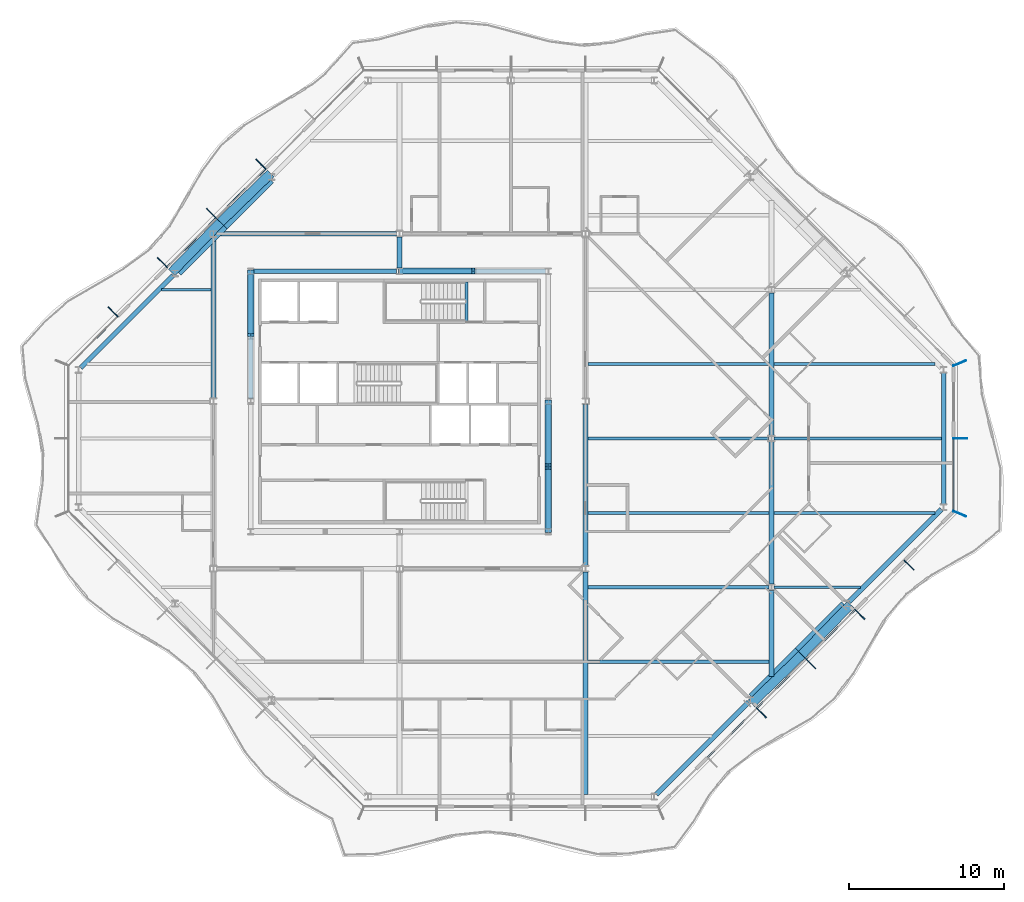
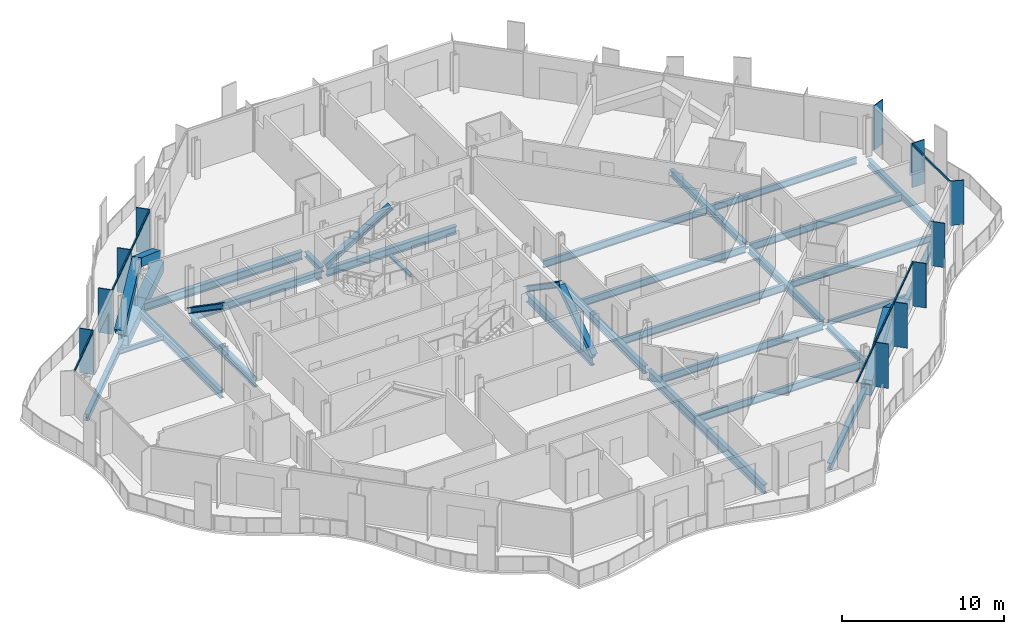
# One storey, part 4 of 17: 31 beams, 26 members, 4 elements without a shape of their own.
"""IFC4 building model written with IfcOpenShell, lengths in metres."""

from ifc_helpers import new_model, si_unit, direction, frame, origin, origin_2d, place, context, subcontext, project, spatial, rectangle, hollow_rectangle, i_section, extrude, material, material_profile, profile_set, type_object, element, aggregate, save


model = new_model("IFC4")

# Units and contexts
model_context = context("Model", 3, precision=1e-05, world=origin(), true_north=direction((0.0, 1.0)))
body_context = subcontext(model_context, "Body", "Model", "MODEL_VIEW")
ifc_project = project(units=[si_unit("LENGTHUNIT", "METRE"), si_unit("AREAUNIT", "SQUARE_METRE"), si_unit("VOLUMEUNIT", "CUBIC_METRE"), si_unit("PLANEANGLEUNIT", "RADIAN"), si_unit("MASSUNIT", "GRAM", prefix="KILO")], contexts=[model_context])

# Site, building, storey
site_placement = place(None, origin())
site = spatial("IfcSite", under=ifc_project, at=site_placement, CompositionType="ELEMENT")
building_placement = place(site_placement, origin())
building = spatial("IfcBuilding", under=site, at=building_placement, Name="Cairn Pilgrim Tower", CompositionType="ELEMENT")
storey_placement = place(building_placement, frame((0.0, 0.0, 257.39990234375)))
storey = spatial("IfcBuildingStorey", under=building, at=storey_placement, Name="L66", CompositionType="ELEMENT", Elevation=257.39990234375)

# Members
ifc_material_1 = material(Name="Structural steel S460M", Category="steel")
ifc_material_profile_1 = material_profile(ifc_material_1, hollow_rectangle(XDim=0.60009765625, YDim=0.60009765625, WallThickness=0.034912109375, at=origin_2d()), Name="BOX 600x600x35")
ifc_profile_set_1 = profile_set([ifc_material_profile_1], Name="Structural steel S460M")
member_type_1 = type_object("IfcMemberType", Name="BOX 600x600x35 BRACE", PredefinedType="BRACE", material=ifc_profile_set_1)
for number, where, z_axis, x_axis, name in (
    (1, (30.01318359375, -16.99462890625, 0.150146484375), (0.6311958305, 0.612796677006, 0.475470352608), (-0.696572199695, 0.717486704136, 0.0), "XB-SE2-SE3-1"),
    (2, (36.194580078125, -10.813232421875, 0.150146484375), (-0.612796677006, -0.6311958305, 0.475470352608), (0.717486704136, -0.696572199695, 0.0), "XB-SE2-SE3-2"),
    (3, (-1.213134765625, 16.99462890625, 0.150146484375), (-0.6311958305, -0.612796677006, 0.475470352608), (0.696572199695, -0.717486704136, 0.0), "XB-NW2-NW3-1"),
):
    element("IfcMember", number, at=place(storey_placement, frame(where, z_axis=z_axis, x_axis=x_axis)), inside=storey, type_object=member_type_1, Name=name, PredefinedType="BRACE", context=body_context, shape_type="SweptSolid", body=[
        extrude(hollow_rectangle(XDim=0.60009765625, YDim=0.60009765625, WallThickness=0.034912109375, at=origin_2d()), origin(), (0.0, 0.0, 1.0), 5.121826171875),
    ])
member_1_placement = place(storey_placement, frame((-7.394775390625, 10.813232421875, 0.150146484375), z_axis=(0.612826442302, 0.631177393557, 0.475456464335), x_axis=(-0.717459625139, 0.696600090652, 0.0)))
element("IfcMember", 4, at=member_1_placement, inside=storey, type_object=member_type_1, Name="XB-NW2-NW3-2", PredefinedType="BRACE", context=body_context, shape_type="SweptSolid", body=[
    extrude(hollow_rectangle(XDim=0.60009765625, YDim=0.60009765625, WallThickness=0.034912109375, at=origin_2d()), origin(), (0.0, 0.0, 1.0), 5.1220703125),
])

# Beams
ifc_material_2 = material(Name="Structural steel S355J2", Category="steel")
ifc_material_profile_2 = material_profile(ifc_material_2, hollow_rectangle(XDim=0.699951171875, YDim=0.800048828125, WallThickness=0.0400390625, at=origin_2d()), Name="BOX 700x800x40")
ifc_profile_set_2 = profile_set([ifc_material_profile_2], Name="Structural steel S355J2")
beam_type_1 = type_object("IfcBeamType", Name="BOX 700x800x40 RING GIRDER", PredefinedType="SPANDREL", material=ifc_profile_set_2)
for number, where, z_axis, x_axis, name in (
    (5, (29.97998046875, -16.747314453125, -0.5498046875), (0.707106781187, 0.707106781187, 0.0), (-0.707106781187, 0.707106781187, 0.0), "RG3-SE2-SE3-1"),
    (6, (32.963623046875, -13.763671875, -0.5498046875), (0.707106781187, 0.707106781187, 0.0), (-0.707106781187, 0.707106781187, 0.0), "RG3-SE2-SE3-2"),
    (7, (-1.179931640625, 16.747314453125, -0.5498046875), (-0.707106781187, -0.707106781187, 0.0), (0.707106781187, -0.707106781187, 0.0), "RG3-NW2-NW3-1"),
    (8, (-4.16357421875, 13.763671875, -0.5498046875), (-0.707106781187, -0.707106781187, 0.0), (0.707106781187, -0.707106781187, 0.0), "RG3-NW2-NW3-2"),
):
    element("IfcBeam", number, at=place(storey_placement, frame(where, z_axis=z_axis, x_axis=x_axis)), inside=storey, type_object=beam_type_1, Name=name, PredefinedType="SPANDREL", context=body_context, shape_type="SweptSolid", body=[
        extrude(hollow_rectangle(XDim=0.699951171875, YDim=0.800048828125, WallThickness=0.0400390625, at=origin_2d()), origin(), (0.0, 0.0, 1.0), 4.219482421875),
    ])

# Curtain wall, members
ifc_material_3 = material(Name="Aluminium alloy 6063-T6 bronze anodised with Bronze tinted laminated low-E glass 8+16+8.8", Category="aluminium")
curtain_wall_type_1 = type_object("IfcCurtainWallType", Name="CHAMFER CORNER CURTAIN WALL", PredefinedType="NOTDEFINED", material=ifc_material_3)
curtain_wall_1_placement = place(storey_placement, origin())
curtain_wall_1 = element("IfcCurtainWall", 9, at=curtain_wall_1_placement, inside=storey, type_object=curtain_wall_type_1, Name="Chamfer Corner Curtain Wall SE", PredefinedType="NOTDEFINED")
ifc_material_4 = material(Name="Aluminium alloy 6063-T6 bronze anodised", Category="aluminium")
ifc_material_profile_3 = material_profile(ifc_material_4, rectangle(XDim=0.89990234375, YDim=0.06005859375, at=origin_2d()), Name="FIN MULLION 60x900 BRONZE")
ifc_profile_set_3 = profile_set([ifc_material_profile_3], Name="Aluminium alloy 6063-T6 bronze anodised")
member_type_2 = type_object("IfcMemberType", Name="FIN MULLION 60x900 BRONZE", PredefinedType="MULLION", material=ifc_profile_set_3)
member_2_placement = place(storey_placement, frame((30.544677734375, -17.69580078125, 0.0), z_axis=(0.0, 0.0, 1.0), x_axis=(0.707106781187, -0.707106781187, 0.0)))
member_2 = element("IfcMember", 10, at=member_2_placement, type_object=member_type_2, Name="Fin mullion SE3", PredefinedType="MULLION", context=body_context, shape_type="SweptSolid", body=[
    extrude(rectangle(XDim=0.89990234375, YDim=0.06005859375, at=origin_2d()), origin(), (0.0, 0.0, 1.0), 3.35009765625),
])
member_3_placement = place(storey_placement, frame((33.72021484375, -14.520263671875, 0.0), z_axis=(0.0, 0.0, 1.0), x_axis=(0.707106781187, -0.707106781187, 0.0)))
member_3 = element("IfcMember", 11, at=member_3_placement, type_object=member_type_2, Name="Fin mullion SE4", PredefinedType="MULLION", context=body_context, shape_type="SweptSolid", body=[
    extrude(rectangle(XDim=0.89990234375, YDim=0.06005859375, at=origin_2d()), origin(), (0.0, 0.0, 1.0), 3.35009765625),
])
member_4_placement = place(storey_placement, frame((36.895751953125, -11.3447265625, 0.0), z_axis=(0.0, 0.0, 1.0), x_axis=(0.707106781187, -0.707106781187, 0.0)))
member_4 = element("IfcMember", 12, at=member_4_placement, type_object=member_type_2, Name="Fin mullion SE5", PredefinedType="MULLION", context=body_context, shape_type="SweptSolid", body=[
    extrude(rectangle(XDim=0.89990234375, YDim=0.06005859375, at=origin_2d()), origin(), (0.0, 0.0, 1.0), 3.35009765625),
])
member_5_placement = place(storey_placement, frame((40.0712890625, -8.1689453125, 0.0), z_axis=(0.0, 0.0, 1.0), x_axis=(0.707106781187, -0.707106781187, 0.0)))
member_5 = element("IfcMember", 13, at=member_5_placement, type_object=member_type_2, Name="Fin mullion SE6", PredefinedType="MULLION", context=body_context, shape_type="SweptSolid", body=[
    extrude(rectangle(XDim=0.89990234375, YDim=0.06005859375, at=origin_2d()), origin(), (0.0, 0.0, 1.0), 3.35009765625),
])

curtain_wall_type_2 = type_object("IfcCurtainWallType", Name="TOWER STICK CURTAIN WALL EW", PredefinedType="NOTDEFINED", material=ifc_material_3)
curtain_wall_2_placement = place(storey_placement, origin())
curtain_wall_2 = element("IfcCurtainWall", 14, at=curtain_wall_2_placement, inside=storey, type_object=curtain_wall_type_2, Name="Tower Stick Curtain Wall Ew E", PredefinedType="NOTDEFINED")
member_6_placement = place(storey_placement, frame((43.338134765625, -4.857177734375, 0.0), z_axis=(0.0, 0.0, 1.0), x_axis=(0.923879532511, -0.382683432365, 0.0)))
member_6 = element("IfcMember", 15, at=member_6_placement, type_object=member_type_2, Name="Fin mullion E1", PredefinedType="MULLION", context=body_context, shape_type="SweptSolid", body=[
    extrude(rectangle(XDim=0.89990234375, YDim=0.06005859375, at=origin_2d()), origin(), (0.0, 0.0, 1.0), 3.35009765625),
])
member_7_placement = place(storey_placement, frame((43.3701171875, 0.0, 0.0), z_axis=(0.0, 0.0, 1.0), x_axis=(1.0, 0.0, 0.0)))
member_7 = element("IfcMember", 16, at=member_7_placement, type_object=member_type_2, Name="Fin mullion E2", PredefinedType="MULLION", context=body_context, shape_type="SweptSolid", body=[
    extrude(rectangle(XDim=0.89990234375, YDim=0.06005859375, at=origin_2d()), origin(), (0.0, 0.0, 1.0), 3.35009765625),
])

# Curtain wall, member
curtain_wall_3_placement = place(storey_placement, origin())
curtain_wall_3 = element("IfcCurtainWall", 17, at=curtain_wall_3_placement, inside=storey, type_object=curtain_wall_type_1, Name="Chamfer Corner Curtain Wall NE", PredefinedType="NOTDEFINED")
member_8_placement = place(storey_placement, frame((43.338134765625, 4.857177734375, 0.0), z_axis=(0.0, 0.0, 1.0), x_axis=(0.923879532511, 0.382683432365, 0.0)))
member_8 = element("IfcMember", 18, at=member_8_placement, type_object=member_type_2, Name="Fin mullion NE1", PredefinedType="MULLION", context=body_context, shape_type="SweptSolid", body=[
    extrude(rectangle(XDim=0.89990234375, YDim=0.06005859375, at=origin_2d()), origin(), (0.0, 0.0, 1.0), 3.35009765625),
])
aggregate(curtain_wall_3, [member_8])

# Curtain wall, members
curtain_wall_4_placement = place(storey_placement, origin())
curtain_wall_4 = element("IfcCurtainWall", 19, at=curtain_wall_4_placement, inside=storey, type_object=curtain_wall_type_1, Name="Chamfer Corner Curtain Wall NW", PredefinedType="NOTDEFINED")
member_9_placement = place(storey_placement, frame((-1.74462890625, 17.69580078125, 0.0), z_axis=(0.0, 0.0, 1.0), x_axis=(-0.707106781187, 0.707106781187, 0.0)))
member_9 = element("IfcMember", 20, at=member_9_placement, type_object=member_type_2, Name="Fin mullion NW3", PredefinedType="MULLION", context=body_context, shape_type="SweptSolid", body=[
    extrude(rectangle(XDim=0.89990234375, YDim=0.06005859375, at=origin_2d()), origin(), (0.0, 0.0, 1.0), 3.35009765625),
])
member_10_placement = place(storey_placement, frame((-4.920166015625, 14.520263671875, 0.0), z_axis=(0.0, 0.0, 1.0), x_axis=(-0.707106781187, 0.707106781187, 0.0)))
member_10 = element("IfcMember", 21, at=member_10_placement, type_object=member_type_2, Name="Fin mullion NW4", PredefinedType="MULLION", context=body_context, shape_type="SweptSolid", body=[
    extrude(rectangle(XDim=0.89990234375, YDim=0.06005859375, at=origin_2d()), origin(), (0.0, 0.0, 1.0), 3.35009765625),
])
member_11_placement = place(storey_placement, frame((-8.095703125, 11.3447265625, 0.0), z_axis=(0.0, 0.0, 1.0), x_axis=(-0.707106781187, 0.707106781187, 0.0)))
member_11 = element("IfcMember", 22, at=member_11_placement, type_object=member_type_2, Name="Fin mullion NW5", PredefinedType="MULLION", context=body_context, shape_type="SweptSolid", body=[
    extrude(rectangle(XDim=0.89990234375, YDim=0.06005859375, at=origin_2d()), origin(), (0.0, 0.0, 1.0), 3.35009765625),
])
member_12_placement = place(storey_placement, frame((-11.271484375, 8.1689453125, 0.0), z_axis=(0.0, 0.0, 1.0), x_axis=(-0.707106781187, 0.707106781187, 0.0)))
member_12 = element("IfcMember", 23, at=member_12_placement, type_object=member_type_2, Name="Fin mullion NW6", PredefinedType="MULLION", context=body_context, shape_type="SweptSolid", body=[
    extrude(rectangle(XDim=0.89990234375, YDim=0.06005859375, at=origin_2d()), origin(), (0.0, 0.0, 1.0), 3.35009765625),
])

# Members
ifc_material_profile_4 = material_profile(ifc_material_2, i_section(OverallWidth=0.39794921875, OverallDepth=0.386962890625, WebThickness=0.02099609375, FlangeThickness=0.033203125, FilletRadius=0.014892578125, at=origin_2d()), Name="HD 400x262")
ifc_profile_set_4 = profile_set([ifc_material_profile_4], Name="Structural steel S355J2")
member_type_3 = type_object("IfcMemberType", Name="HD 400x262 BRACE", PredefinedType="BRACE", material=ifc_profile_set_4)
for number, where, z_axis, x_axis, name in (
    (24, (16.800048828125, -5.960205078125, 0.10009765625), (0.0, 0.82443442172, 0.565957493353), (-1.0, 0.0, 0.0), "KB-2A"),
    (25, (16.800048828125, 2.360107421875, 0.10009765625), (0.0, -0.82443442172, 0.565957493353), (1.0, 0.0, 0.0), "KB-2B"),
):
    element("IfcMember", number, at=place(storey_placement, frame(where, z_axis=z_axis, x_axis=x_axis)), inside=storey, type_object=member_type_3, Name=name, PredefinedType="BRACE", context=body_context, shape_type="SweptSolid", body=[
        extrude(i_section(OverallWidth=0.39794921875, OverallDepth=0.386962890625, WebThickness=0.02099609375, FlangeThickness=0.033203125, FilletRadius=0.014892578125, at=origin_2d()), origin(), (0.0, 0.0, 1.0), 4.9521484375),
    ])
member_13_placement = place(storey_placement, frame((7.23974609375, 10.800048828125, 0.10009765625), z_axis=(0.859714351182, 0.0, 0.510775130926), x_axis=(0.0, 1.0, 0.0)))
element("IfcMember", 26, at=member_13_placement, inside=storey, type_object=member_type_3, Name="KB-3B", PredefinedType="BRACE", context=body_context, shape_type="SweptSolid", body=[
    extrude(i_section(OverallWidth=0.39794921875, OverallDepth=0.386962890625, WebThickness=0.02099609375, FlangeThickness=0.033203125, FilletRadius=0.014892578125, at=origin_2d()), origin(), (0.0, 0.0, 1.0), 5.48828125),
])
member_14_placement = place(storey_placement, frame((-2.39990234375, 10.76025390625, 0.10009765625), z_axis=(0.0, -0.82443442172, 0.565957493353), x_axis=(1.0, 0.0, 0.0)))
element("IfcMember", 27, at=member_14_placement, inside=storey, type_object=member_type_3, Name="KB-4A", PredefinedType="BRACE", context=body_context, shape_type="SweptSolid", body=[
    extrude(i_section(OverallWidth=0.39794921875, OverallDepth=0.386962890625, WebThickness=0.02099609375, FlangeThickness=0.033203125, FilletRadius=0.014892578125, at=origin_2d()), origin(), (0.0, 0.0, 1.0), 4.9521484375),
])

# Beams
ifc_material_profile_5 = material_profile(ifc_material_2, i_section(OverallWidth=0.300048828125, OverallDepth=0.39990234375, WebThickness=0.013427734375, FlangeThickness=0.02392578125, FilletRadius=0.027099609375, at=origin_2d()), Name="HEB 400")
ifc_profile_set_5 = profile_set([ifc_material_profile_5], Name="Structural steel S355J2")
beam_type_2 = type_object("IfcBeamType", Name="HEB 400 GIRDER", PredefinedType="BEAM", material=ifc_profile_set_5)
beam_1_placement = place(storey_placement, frame((7.199951171875, 10.9990234375, -0.349853515625), z_axis=(0.0, 1.0, 0.0), x_axis=(-1.0, 0.0, 0.0)))
element("IfcBeam", 28, at=beam_1_placement, inside=storey, type_object=beam_type_2, Name="PG3-E2", PredefinedType="BEAM", context=body_context, shape_type="SweptSolid", body=[
    extrude(i_section(OverallWidth=0.300048828125, OverallDepth=0.39990234375, WebThickness=0.013427734375, FlangeThickness=0.02392578125, FilletRadius=0.027099609375, at=origin_2d()), origin(), (0.0, 0.0, 1.0), 2.00390625),
])
beam_2_placement = place(storey_placement, frame((31.199951171875, -15.34521484375, -0.349853515625), z_axis=(0.0, 1.0, 0.0), x_axis=(-1.0, 0.0, 0.0)))
element("IfcBeam", 29, at=beam_2_placement, inside=storey, type_object=beam_type_2, Name="PG5-1", PredefinedType="BEAM", context=body_context, shape_type="SweptSolid", body=[
    extrude(i_section(OverallWidth=0.300048828125, OverallDepth=0.39990234375, WebThickness=0.013427734375, FlangeThickness=0.02392578125, FilletRadius=0.027099609375, at=origin_2d()), origin(), (0.0, 0.0, 1.0), 5.545654296875),
])
ifc_material_profile_6 = material_profile(ifc_material_2, i_section(OverallWidth=0.300048828125, OverallDepth=0.5, WebThickness=0.014404296875, FlangeThickness=0.028076171875, FilletRadius=0.027099609375, at=origin_2d()), Name="HEB 500")
ifc_profile_set_6 = profile_set([ifc_material_profile_6], Name="Structural steel S355J2")
beam_type_3 = type_object("IfcBeamType", Name="HEB 500 GIRDER", PredefinedType="BEAM", material=ifc_profile_set_6)
for number, where, z_axis, x_axis, name in (
    (30, (31.199951171875, -9.400390625, -0.39990234375), (0.0, 1.0, 0.0), (-1.0, 0.0, 0.0), "PG5-2"),
    (31, (31.199951171875, 0.199462890625, -0.39990234375), (0.0, 1.0, 0.0), (-1.0, 0.0, 0.0), "PG5-3"),
):
    element("IfcBeam", number, at=place(storey_placement, frame(where, z_axis=z_axis, x_axis=x_axis)), inside=storey, type_object=beam_type_3, Name=name, PredefinedType="BEAM", context=body_context, shape_type="SweptSolid", body=[
        extrude(i_section(OverallWidth=0.300048828125, OverallDepth=0.5, WebThickness=0.014404296875, FlangeThickness=0.028076171875, FilletRadius=0.027099609375, at=origin_2d()), origin(), (0.0, 0.0, 1.0), 9.200927734375),
    ])
ifc_material_profile_7 = material_profile(ifc_material_2, i_section(OverallWidth=0.300048828125, OverallDepth=0.5, WebThickness=0.014404296875, FlangeThickness=0.028076171875, FilletRadius=0.027099609375, at=origin_2d()), Name="HEB 500")
ifc_profile_set_7 = profile_set([ifc_material_profile_7], Name="Structural steel S355J2")
beam_type_4 = type_object("IfcBeamType", Name="HEB 500 RING GIRDER", PredefinedType="SPANDREL", material=ifc_profile_set_7)
for number, where, z_axis, x_axis, name in (
    (32, (23.755859375, -22.971435546875, -0.39990234375), (0.707106781187, 0.707106781187, 0.0), (-0.707106781187, 0.707106781187, 0.0), "RG3-SE1-SE2"),
    (33, (36.204345703125, -10.52294921875, -0.39990234375), (0.707106781187, 0.707106781187, 0.0), (-0.707106781187, 0.707106781187, 0.0), "RG3-SE3-E1"),
):
    element("IfcBeam", number, at=place(storey_placement, frame(where, z_axis=z_axis, x_axis=x_axis)), inside=storey, type_object=beam_type_4, Name=name, PredefinedType="SPANDREL", context=body_context, shape_type="SweptSolid", body=[
        extrude(i_section(OverallWidth=0.300048828125, OverallDepth=0.5, WebThickness=0.014404296875, FlangeThickness=0.028076171875, FilletRadius=0.027099609375, at=origin_2d()), origin(), (0.0, 0.0, 1.0), 8.438720703125),
    ])
beam_3_placement = place(storey_placement, frame((42.300048828125, -4.245361328125, -0.39990234375), z_axis=(0.0, 1.0, 0.0), x_axis=(-1.0, 0.0, 0.0)))
element("IfcBeam", 34, at=beam_3_placement, inside=storey, type_object=beam_type_4, Name="RG3-E1-NE1", PredefinedType="SPANDREL", context=body_context, shape_type="SweptSolid", body=[
    extrude(i_section(OverallWidth=0.300048828125, OverallDepth=0.5, WebThickness=0.014404296875, FlangeThickness=0.028076171875, FilletRadius=0.027099609375, at=origin_2d()), origin(), (0.0, 0.0, 1.0), 8.49072265625),
])
beam_4_placement = place(storey_placement, frame((-7.404296875, 10.52294921875, -0.39990234375), z_axis=(-0.707106781187, -0.707106781187, 0.0), x_axis=(0.707106781187, -0.707106781187, 0.0)))
element("IfcBeam", 35, at=beam_4_placement, inside=storey, type_object=beam_type_4, Name="RG3-NW3-W1", PredefinedType="SPANDREL", context=body_context, shape_type="SweptSolid", body=[
    extrude(i_section(OverallWidth=0.300048828125, OverallDepth=0.5, WebThickness=0.014404296875, FlangeThickness=0.028076171875, FilletRadius=0.027099609375, at=origin_2d()), origin(), (0.0, 0.0, 1.0), 8.438720703125),
])
ifc_material_profile_8 = material_profile(ifc_material_2, i_section(OverallWidth=0.300048828125, OverallDepth=0.60009765625, WebThickness=0.015380859375, FlangeThickness=0.030029296875, FilletRadius=0.027099609375, at=origin_2d()), Name="HEB 600")
ifc_profile_set_8 = profile_set([ifc_material_profile_8], Name="Structural steel S355J2")
beam_type_5 = type_object("IfcBeamType", Name="HEB 600 CORE BEAM", PredefinedType="BEAM", material=ifc_profile_set_8)
beam_5_placement = place(storey_placement, frame((16.800048828125, -5.82080078125, -0.449951171875), z_axis=(0.0, 1.0, 0.0), x_axis=(-1.0, 0.0, 0.0)))
element("IfcBeam", 36, at=beam_5_placement, inside=storey, type_object=beam_type_5, Name="CB-3", PredefinedType="BEAM", context=body_context, shape_type="SweptSolid", body=[
    extrude(i_section(OverallWidth=0.300048828125, OverallDepth=0.60009765625, WebThickness=0.015380859375, FlangeThickness=0.030029296875, FilletRadius=0.027099609375, at=origin_2d()), origin(), (0.0, 0.0, 1.0), 8.041748046875),
])
beam_6_placement = place(storey_placement, frame((16.620849609375, 10.800048828125, -0.449951171875), z_axis=(-1.0, 0.0, 0.0), x_axis=(0.0, -1.0, 0.0)))
element("IfcBeam", 37, at=beam_6_placement, inside=storey, type_object=beam_type_5, Name="CB-5", PredefinedType="BEAM", context=body_context, shape_type="SweptSolid", body=[
    extrude(i_section(OverallWidth=0.300048828125, OverallDepth=0.60009765625, WebThickness=0.015380859375, FlangeThickness=0.030029296875, FilletRadius=0.027099609375, at=origin_2d()), origin(), (0.0, 0.0, 1.0), 9.24169921875),
])
beam_7_placement = place(storey_placement, frame((7.02099609375, 10.800048828125, -0.449951171875), z_axis=(-1.0, 0.0, 0.0), x_axis=(0.0, -1.0, 0.0)))
element("IfcBeam", 38, at=beam_7_placement, inside=storey, type_object=beam_type_5, Name="CB-6", PredefinedType="BEAM", context=body_context, shape_type="SweptSolid", body=[
    extrude(i_section(OverallWidth=0.300048828125, OverallDepth=0.60009765625, WebThickness=0.015380859375, FlangeThickness=0.030029296875, FilletRadius=0.027099609375, at=origin_2d()), origin(), (0.0, 0.0, 1.0), 9.241943359375),
])
beam_8_placement = place(storey_placement, frame((-2.39990234375, 10.620849609375, -0.449951171875), z_axis=(0.0, -1.0, 0.0), x_axis=(1.0, 0.0, 0.0)))
element("IfcBeam", 39, at=beam_8_placement, inside=storey, type_object=beam_type_5, Name="CB-7", PredefinedType="BEAM", context=body_context, shape_type="SweptSolid", body=[
    extrude(i_section(OverallWidth=0.300048828125, OverallDepth=0.60009765625, WebThickness=0.015380859375, FlangeThickness=0.030029296875, FilletRadius=0.027099609375, at=origin_2d()), origin(), (0.0, 0.0, 1.0), 8.041748046875),
])
ifc_material_profile_9 = material_profile(ifc_material_2, i_section(OverallWidth=0.300048828125, OverallDepth=0.60009765625, WebThickness=0.015380859375, FlangeThickness=0.030029296875, FilletRadius=0.027099609375, at=origin_2d()), Name="HEB 600")
ifc_profile_set_9 = profile_set([ifc_material_profile_9], Name="Structural steel S355J2")
beam_type_6 = type_object("IfcBeamType", Name="HEB 600 GIRDER", PredefinedType="BEAM", material=ifc_profile_set_9)
beam_9_placement = place(storey_placement, frame((-4.800048828125, 2.596923828125, -0.449951171875), z_axis=(0.0, 1.0, 0.0), x_axis=(-1.0, 0.0, 0.0)))
element("IfcBeam", 40, at=beam_9_placement, inside=storey, type_object=beam_type_6, Name="PG2-3", PredefinedType="BEAM", context=body_context, shape_type="SweptSolid", body=[
    extrude(i_section(OverallWidth=0.300048828125, OverallDepth=0.60009765625, WebThickness=0.015380859375, FlangeThickness=0.030029296875, FilletRadius=0.027099609375, at=origin_2d()), origin(), (0.0, 0.0, 1.0), 10.34814453125),
])
beam_10_placement = place(storey_placement, frame((19.199951171875, -8.202880859375, -0.449951171875), z_axis=(0.0, 1.0, 0.0), x_axis=(-1.0, 0.0, 0.0)))
element("IfcBeam", 41, at=beam_10_placement, inside=storey, type_object=beam_type_6, Name="PG4-2", PredefinedType="BEAM", context=body_context, shape_type="SweptSolid", body=[
    extrude(i_section(OverallWidth=0.300048828125, OverallDepth=0.60009765625, WebThickness=0.015380859375, FlangeThickness=0.030029296875, FilletRadius=0.027099609375, at=origin_2d()), origin(), (0.0, 0.0, 1.0), 10.40576171875),
])
ifc_material_profile_10 = material_profile(ifc_material_2, i_section(OverallWidth=0.300048828125, OverallDepth=0.60009765625, WebThickness=0.015380859375, FlangeThickness=0.030029296875, FilletRadius=0.027099609375, at=origin_2d()), Name="HEB 600")
ifc_profile_set_10 = profile_set([ifc_material_profile_10], Name="Structural steel S355J2")
beam_type_7 = type_object("IfcBeamType", Name="HEB 600 INNER GIRDER", PredefinedType="BEAM", material=ifc_profile_set_10)
beam_11_placement = place(storey_placement, frame((-4.60302734375, 13.199951171875, -0.449951171875), z_axis=(1.0, 0.0, 0.0), x_axis=(0.0, 1.0, 0.0)))
element("IfcBeam", 42, at=beam_11_placement, inside=storey, type_object=beam_type_7, Name="IG2-1", PredefinedType="BEAM", context=body_context, shape_type="SweptSolid", body=[
    extrude(i_section(OverallWidth=0.300048828125, OverallDepth=0.60009765625, WebThickness=0.015380859375, FlangeThickness=0.030029296875, FilletRadius=0.027099609375, at=origin_2d()), origin(), (0.0, 0.0, 1.0), 11.60595703125),
])
ifc_material_profile_11 = material_profile(ifc_material_2, i_section(OverallWidth=0.300048828125, OverallDepth=0.699951171875, WebThickness=0.01708984375, FlangeThickness=0.031982421875, FilletRadius=0.027099609375, at=origin_2d()), Name="HEB 700")
ifc_profile_set_11 = profile_set([ifc_material_profile_11], Name="Structural steel S355J2")
beam_type_8 = type_object("IfcBeamType", Name="HEB 700 GIRDER", PredefinedType="BEAM", material=ifc_profile_set_11)
beam_12_placement = place(storey_placement, frame((19.199951171875, -22.97998046875, -0.5), z_axis=(0.0, 1.0, 0.0), x_axis=(-1.0, 0.0, 0.0)))
element("IfcBeam", 43, at=beam_12_placement, inside=storey, type_object=beam_type_8, Name="PG4-1", PredefinedType="BEAM", context=body_context, shape_type="SweptSolid", body=[
    extrude(i_section(OverallWidth=0.300048828125, OverallDepth=0.699951171875, WebThickness=0.01708984375, FlangeThickness=0.031982421875, FilletRadius=0.027099609375, at=origin_2d()), origin(), (0.0, 0.0, 1.0), 14.383056640625),
])
ifc_material_profile_12 = material_profile(ifc_material_2, i_section(OverallWidth=0.169921875, OverallDepth=0.360107421875, WebThickness=0.008056640625, FlangeThickness=0.0126953125, FilletRadius=0.01806640625, at=origin_2d()), Name="IPE 360")
ifc_profile_set_12 = profile_set([ifc_material_profile_12], Name="Structural steel S355J2")
beam_type_9 = type_object("IfcBeamType", Name="IPE 360 SECONDARY BEAM", PredefinedType="JOIST", material=ifc_profile_set_12)
beam_13_placement = place(storey_placement, frame((31.35009765625, -9.60009765625, -0.329833984375), z_axis=(1.0, 0.0, 0.0), x_axis=(0.0, 1.0, 0.0)))
element("IfcBeam", 44, at=beam_13_placement, inside=storey, type_object=beam_type_9, Name="SB3-3", PredefinedType="JOIST", context=body_context, shape_type="SweptSolid", body=[
    extrude(i_section(OverallWidth=0.169921875, OverallDepth=0.360107421875, WebThickness=0.008056640625, FlangeThickness=0.0126953125, FilletRadius=0.01806640625, at=origin_2d()), origin(), (0.0, 0.0, 1.0), 5.594970703125),
])
beam_14_placement = place(storey_placement, frame((-8.14501953125, 9.60009765625, -0.329833984375), z_axis=(1.0, 0.0, 0.0), x_axis=(0.0, 1.0, 0.0)))
element("IfcBeam", 45, at=beam_14_placement, inside=storey, type_object=beam_type_9, Name="SB7-1", PredefinedType="JOIST", context=body_context, shape_type="SweptSolid", body=[
    extrude(i_section(OverallWidth=0.169921875, OverallDepth=0.360107421875, WebThickness=0.008056640625, FlangeThickness=0.0126953125, FilletRadius=0.01806640625, at=origin_2d()), origin(), (0.0, 0.0, 1.0), 3.195068359375),
])
ifc_material_profile_13 = material_profile(ifc_material_2, i_section(OverallWidth=0.199951171875, OverallDepth=0.5, WebThickness=0.01025390625, FlangeThickness=0.01611328125, FilletRadius=0.02099609375, at=origin_2d()), Name="IPE 500")
ifc_profile_set_13 = profile_set([ifc_material_profile_13], Name="Structural steel S355J2")
beam_type_10 = type_object("IfcBeamType", Name="IPE 500 SECONDARY BEAM", PredefinedType="JOIST", material=ifc_profile_set_13)
for number, where, z_axis, x_axis, name in (
    (46, (31.35009765625, -4.800048828125, -0.39990234375), (1.0, 0.0, 0.0), (0.0, 1.0, 0.0), "SB4-3"),
    (47, (31.35009765625, 4.800048828125, -0.39990234375), (1.0, 0.0, 0.0), (0.0, 1.0, 0.0), "SB6-3"),
):
    element("IfcBeam", number, at=place(storey_placement, frame(where, z_axis=z_axis, x_axis=x_axis)), inside=storey, type_object=beam_type_10, Name=name, PredefinedType="JOIST", context=body_context, shape_type="SweptSolid", body=[
        extrude(i_section(OverallWidth=0.199951171875, OverallDepth=0.5, WebThickness=0.01025390625, FlangeThickness=0.01611328125, FilletRadius=0.02099609375, at=origin_2d()), origin(), (0.0, 0.0, 1.0), 10.39501953125),
    ])
ifc_material_profile_14 = material_profile(ifc_material_2, i_section(OverallWidth=0.2099609375, OverallDepth=0.550048828125, WebThickness=0.010986328125, FlangeThickness=0.01708984375, FilletRadius=0.02392578125, at=origin_2d()), Name="IPE 550")
ifc_profile_set_14 = profile_set([ifc_material_profile_14], Name="Structural steel S355J2")
beam_type_11 = type_object("IfcBeamType", Name="IPE 550 SECONDARY BEAM", PredefinedType="JOIST", material=ifc_profile_set_14)
for number, where, z_axis, x_axis, name in (
    (48, (19.35009765625, -14.39990234375, -0.4248046875), (1.0, 0.0, 0.0), (0.0, 1.0, 0.0), "SB2-3"),
    (49, (19.35009765625, -9.60009765625, -0.4248046875), (1.0, 0.0, 0.0), (0.0, 1.0, 0.0), "SB3-2"),
    (50, (19.35009765625, -4.800048828125, -0.4248046875), (1.0, 0.0, 0.0), (0.0, 1.0, 0.0), "SB4-2"),
    (51, (19.35009765625, 0.0, -0.4248046875), (1.0, 0.0, 0.0), (0.0, 1.0, 0.0), "SB5-2"),
):
    element("IfcBeam", number, at=place(storey_placement, frame(where, z_axis=z_axis, x_axis=x_axis)), inside=storey, type_object=beam_type_11, Name=name, PredefinedType="JOIST", context=body_context, shape_type="SweptSolid", body=[
        extrude(i_section(OverallWidth=0.2099609375, OverallDepth=0.550048828125, WebThickness=0.010986328125, FlangeThickness=0.01708984375, FilletRadius=0.02392578125, at=origin_2d()), origin(), (0.0, 0.0, 1.0), 11.699951171875),
    ])
beam_15_placement = place(storey_placement, frame((31.35009765625, 0.0, -0.4248046875), z_axis=(1.0, 0.0, 0.0), x_axis=(0.0, 1.0, 0.0)))
element("IfcBeam", 52, at=beam_15_placement, inside=storey, type_object=beam_type_11, Name="SB5-3", PredefinedType="JOIST", context=body_context, shape_type="SweptSolid", body=[
    extrude(i_section(OverallWidth=0.2099609375, OverallDepth=0.550048828125, WebThickness=0.010986328125, FlangeThickness=0.01708984375, FilletRadius=0.02392578125, at=origin_2d()), origin(), (0.0, 0.0, 1.0), 10.829833984375),
])
beam_16_placement = place(storey_placement, frame((19.35009765625, 4.800048828125, -0.4248046875), z_axis=(1.0, 0.0, 0.0), x_axis=(0.0, 1.0, 0.0)))
element("IfcBeam", 53, at=beam_16_placement, inside=storey, type_object=beam_type_11, Name="SB6-2", PredefinedType="JOIST", context=body_context, shape_type="SweptSolid", body=[
    extrude(i_section(OverallWidth=0.2099609375, OverallDepth=0.550048828125, WebThickness=0.010986328125, FlangeThickness=0.01708984375, FilletRadius=0.02392578125, at=origin_2d()), origin(), (0.0, 0.0, 1.0), 11.699951171875),
])
ifc_material_profile_15 = material_profile(ifc_material_2, i_section(OverallWidth=0.199951171875, OverallDepth=0.199951171875, WebThickness=0.009033203125, FlangeThickness=0.014892578125, FilletRadius=0.01806640625, at=origin_2d()), Name="HE 200 B")
ifc_profile_set_15 = profile_set([ifc_material_profile_15], Name="Structural steel S355J2")
beam_type_12 = type_object("IfcBeamType", Name="STAIR LANDING BEAM HE 200 B", PredefinedType="BEAM", material=ifc_profile_set_15)
beam_17_placement = place(storey_placement, frame((11.5244140625, 10.10009765625, -0.25), z_axis=(0.0, -1.0, 0.0), x_axis=(1.0, 0.0, 0.0)))
element("IfcBeam", 54, at=beam_17_placement, inside=storey, type_object=beam_type_12, Name="STAIR LANDING BEAM LD-HE200B", PredefinedType="BEAM", context=body_context, shape_type="SweptSolid", body=[
    extrude(i_section(OverallWidth=0.199951171875, OverallDepth=0.199951171875, WebThickness=0.009033203125, FlangeThickness=0.014892578125, FilletRadius=0.01806640625, at=origin_2d()), origin(), (0.0, 0.0, 1.0), 2.525146484375),
])

# Member
ifc_material_profile_16 = material_profile(ifc_material_4, rectangle(XDim=0.080078125, YDim=0.14990234375, at=origin_2d()), Name="TRANSOM 80x150 BRONZE")
ifc_profile_set_16 = profile_set([ifc_material_profile_16], Name="Aluminium alloy 6063-T6 bronze anodised")
member_type_4 = type_object("IfcMemberType", Name="TRANSOM 80x150 BRONZE", PredefinedType="USERDEFINED", material=ifc_profile_set_16)
member_15_placement = place(storey_placement, frame((27.09326171875, -20.55322265625, 3.275146484375), z_axis=(0.707079231393, 0.707134329907, 0.0), x_axis=(-0.707134329907, 0.707079231393, 0.0)))
member_15 = element("IfcMember", 55, at=member_15_placement, type_object=member_type_4, Name="Transom SE2", ObjectType="TRANSOM", PredefinedType="USERDEFINED", context=body_context, shape_type="SweptSolid", body=[
    extrude(rectangle(XDim=0.080078125, YDim=0.14990234375, at=origin_2d()), origin(), (0.0, 0.0, 1.0), 4.430908203125),
])

member_16_placement = place(storey_placement, frame((30.268798828125, -17.377685546875, 3.275146484375), z_axis=(0.707106781187, 0.707106781187, 0.0), x_axis=(-0.707106781187, 0.707106781187, 0.0)))
member_16 = element("IfcMember", 56, at=member_16_placement, type_object=member_type_4, Name="Transom SE3", ObjectType="TRANSOM", PredefinedType="USERDEFINED", context=body_context, shape_type="SweptSolid", body=[
    extrude(rectangle(XDim=0.080078125, YDim=0.14990234375, at=origin_2d()), origin(), (0.0, 0.0, 1.0), 4.43115234375),
])

member_17_placement = place(storey_placement, frame((33.4443359375, -14.201904296875, 3.275146484375), z_axis=(0.707134329907, 0.707079231393, 0.0), x_axis=(-0.707079231393, 0.707134329907, 0.0)))
member_17 = element("IfcMember", 57, at=member_17_placement, type_object=member_type_4, Name="Transom SE4", ObjectType="TRANSOM", PredefinedType="USERDEFINED", context=body_context, shape_type="SweptSolid", body=[
    extrude(rectangle(XDim=0.080078125, YDim=0.14990234375, at=origin_2d()), origin(), (0.0, 0.0, 1.0), 4.430908203125),
])

aggregate(curtain_wall_1, [member_2, member_3, member_4, member_5, member_15, member_16, member_17])

member_18_placement = place(storey_placement, frame((42.949951171875, -4.656494140625, 3.275146484375), z_axis=(0.0, 1.0, 0.0), x_axis=(-1.0, 0.0, 0.0)))
member_18 = element("IfcMember", 58, at=member_18_placement, type_object=member_type_4, Name="Transom E1", ObjectType="TRANSOM", PredefinedType="USERDEFINED", context=body_context, shape_type="SweptSolid", body=[
    extrude(rectangle(XDim=0.080078125, YDim=0.14990234375, at=origin_2d()), origin(), (0.0, 0.0, 1.0), 4.62646484375),
])

aggregate(curtain_wall_2, [member_6, member_7, member_18])

member_19_placement = place(storey_placement, frame((-1.46875, 17.377685546875, 3.275146484375), z_axis=(-0.707106781187, -0.707106781187, 0.0), x_axis=(0.707106781187, -0.707106781187, 0.0)))
member_19 = element("IfcMember", 59, at=member_19_placement, type_object=member_type_4, Name="Transom NW3", ObjectType="TRANSOM", PredefinedType="USERDEFINED", context=body_context, shape_type="SweptSolid", body=[
    extrude(rectangle(XDim=0.080078125, YDim=0.14990234375, at=origin_2d()), origin(), (0.0, 0.0, 1.0), 4.43115234375),
])

member_20_placement = place(storey_placement, frame((-4.64453125, 14.201904296875, 3.275146484375), z_axis=(-0.707106781187, -0.707106781187, 0.0), x_axis=(0.707106781187, -0.707106781187, 0.0)))
member_20 = element("IfcMember", 60, at=member_20_placement, type_object=member_type_4, Name="Transom NW4", ObjectType="TRANSOM", PredefinedType="USERDEFINED", context=body_context, shape_type="SweptSolid", body=[
    extrude(rectangle(XDim=0.080078125, YDim=0.14990234375, at=origin_2d()), origin(), (0.0, 0.0, 1.0), 4.430908203125),
])

member_21_placement = place(storey_placement, frame((-10.99560546875, 7.850830078125, 3.275146484375), z_axis=(-0.707106781187, -0.707106781187, 0.0), x_axis=(0.707106781187, -0.707106781187, 0.0)))
member_21 = element("IfcMember", 61, at=member_21_placement, type_object=member_type_4, Name="Transom NW6", ObjectType="TRANSOM", PredefinedType="USERDEFINED", context=body_context, shape_type="SweptSolid", body=[
    extrude(rectangle(XDim=0.080078125, YDim=0.14990234375, at=origin_2d()), origin(), (0.0, 0.0, 1.0), 4.421142578125),
])

aggregate(curtain_wall_4, [member_9, member_10, member_11, member_12, member_19, member_20, member_21])

save(model, "model.ifc")
